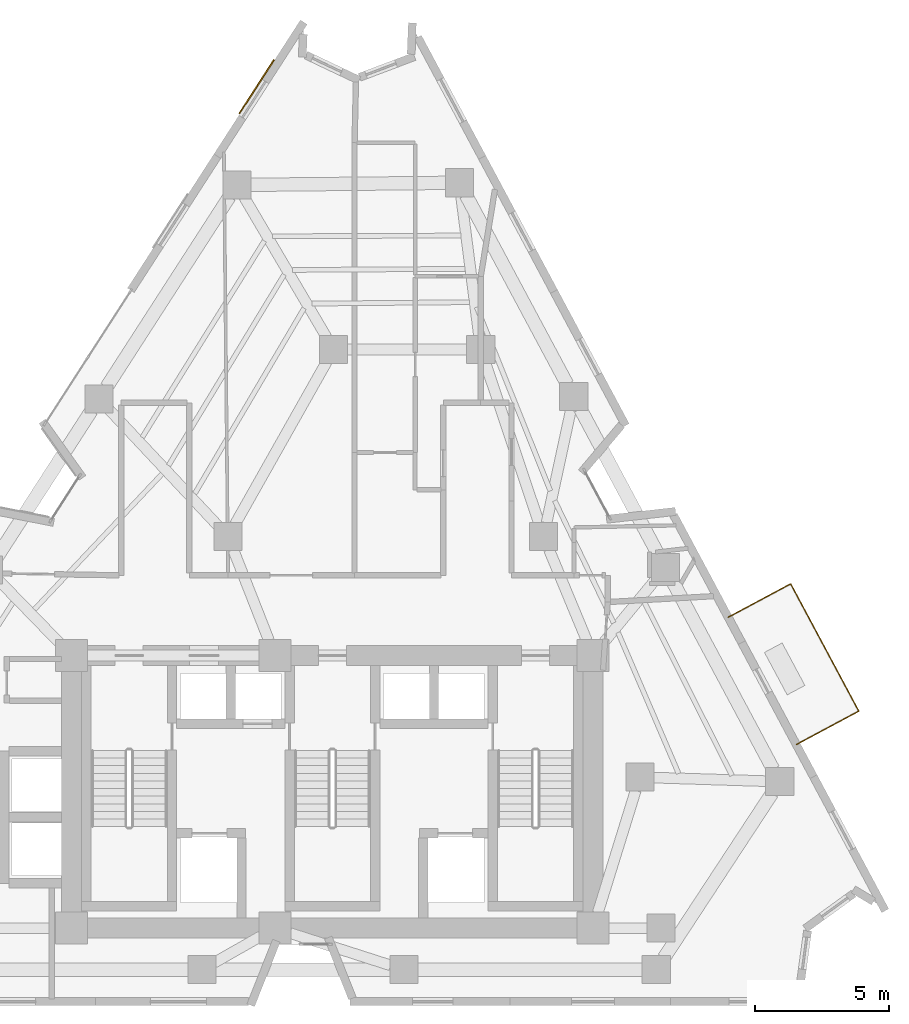
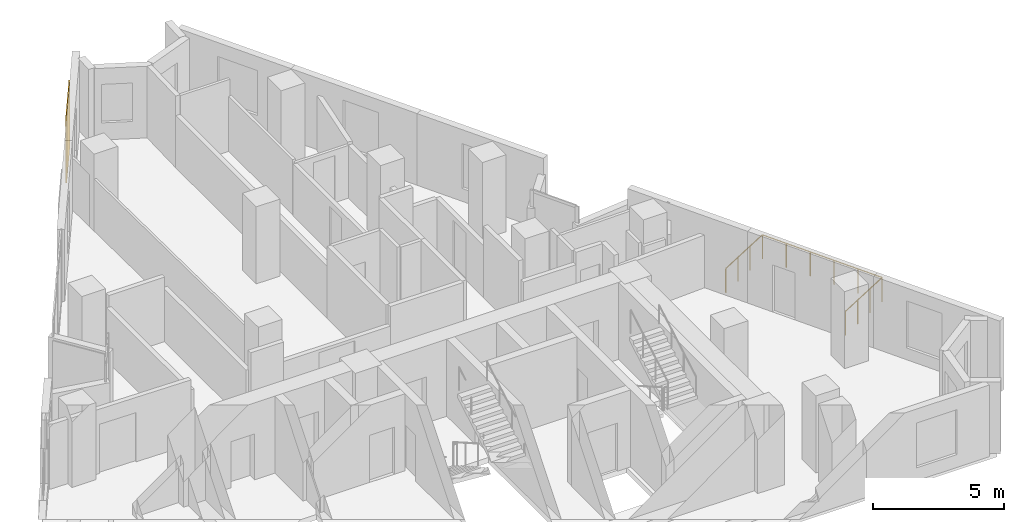
# One storey, part 12 of 12: 1 covering, 1 railing.
"""IFC4 building model written with IfcOpenShell, lengths in metres."""

import ifcopenshell
import ifcopenshell.guid

model = None  # the IFC model being written
_history = None  # IfcOwnerHistory: only IFC2X3 demands one
_inside = {}  # id of a spatial element -> (the spatial element, [elements in it])
_under = {}  # id of a project, library or spatial element -> (it, [spatial elements below it])
_declared = {}  # id of a project -> (the project, [libraries it declares])
_typed = {}  # id of a type object -> (the type object, [elements of that type])
_made_of = {}  # id of a material, layer set ... -> (it, [elements and type objects made of it])


def new_model(schema):
    """Start an empty IFC model of exactly this schema.

    Asked for "IFC4X3", IfcOpenShell would pick the latest addendum, in which some entities
    have other attributes; the version numbers below select the first issue.
    IFC2X3 requires an IfcOwnerHistory on every rooted entity: one is made here for all.
    """
    global model, _history
    if schema == "IFC4X3":
        model = ifcopenshell.file(schema_version=(4, 3, 0, 0))
    else:
        model = ifcopenshell.file(schema=schema)
    _inside.clear()
    _under.clear()
    _declared.clear()
    _typed.clear()
    _made_of.clear()
    _history = None
    if model.schema == "IFC2X3":
        org = make("IfcOrganization", Name="unknown")
        user = make(
            "IfcPersonAndOrganization",
            ThePerson=make("IfcPerson", FamilyName="unknown"),
            TheOrganization=org,
        )
        app = make(
            "IfcApplication",
            ApplicationDeveloper=org,
            Version="unknown",
            ApplicationFullName="unknown",
            ApplicationIdentifier="unknown",
        )
        _history = make(
            "IfcOwnerHistory",
            OwningUser=user,
            OwningApplication=app,
            ChangeAction="ADDED",
            CreationDate=0,
        )
    return model


def make(cls, **values):
    """One entity of the class cls with the attributes given. An attribute that is None is left unset."""
    return model.create_entity(
        cls, **{name: value for name, value in values.items() if value is not None}
    )


def rooted(cls, **values):
    """An entity with a GlobalId (a new one), such as an element, a storey or a relation."""
    return make(cls, GlobalId=ifcopenshell.guid.new(), OwnerHistory=_history, **values)


def si_unit(unit_type, name, prefix=None):
    """IfcSIUnit, for example si_unit("LENGTHUNIT", "METRE", prefix="MILLI")."""
    return make("IfcSIUnit", UnitType=unit_type, Prefix=prefix, Name=name)


def assignment(units):
    """IfcUnitAssignment: the units of a project."""
    return None if units is None else make("IfcUnitAssignment", Units=units)


def point(xyz):
    """IfcCartesianPoint."""
    return None if xyz is None else make("IfcCartesianPoint", Coordinates=xyz)


def direction(xyz):
    """IfcDirection."""
    return None if xyz is None else make("IfcDirection", DirectionRatios=xyz)


def frame(location, z_axis=None, x_axis=None):
    """IfcAxis2Placement3D, a coordinate frame: its origin and axes. An axis left out is left unset."""
    return make(
        "IfcAxis2Placement3D",
        Location=point(location),
        Axis=direction(z_axis),
        RefDirection=direction(x_axis),
    )


def frame_2d(location, x_axis=None):
    """IfcAxis2Placement2D, a coordinate frame in the plane: its origin and x axis."""
    return make(
        "IfcAxis2Placement2D", Location=point(location), RefDirection=direction(x_axis)
    )


def origin():
    """The frame at (0, 0, 0) with its axes left unset."""
    return frame((0.0, 0.0, 0.0))


def origin_2d():
    """The frame at (0, 0) in the plane with its x axis left unset."""
    return frame_2d((0.0, 0.0))


def place(relative_to, where):
    """IfcLocalPlacement: puts the frame where relative to a parent placement (None: the world)."""
    return make(
        "IfcLocalPlacement", PlacementRelTo=relative_to, RelativePlacement=where
    )


def context(
    kind, dimensions, precision=None, world=None, true_north=None, identifier=None
):
    """IfcGeometricRepresentationContext, for example the 3D "Model" context."""
    return make(
        "IfcGeometricRepresentationContext",
        ContextIdentifier=identifier,
        ContextType=kind,
        CoordinateSpaceDimension=dimensions,
        Precision=precision,
        WorldCoordinateSystem=world,
        TrueNorth=true_north,
    )


def subcontext(parent, identifier, kind, view, scale=None):
    """IfcGeometricRepresentationSubContext, for example "Body" below "Model"."""
    return make(
        "IfcGeometricRepresentationSubContext",
        ContextIdentifier=identifier,
        ContextType=kind,
        ParentContext=parent,
        TargetScale=scale,
        TargetView=view,
    )


def project(units=None, contexts=None):
    """IfcProject with its units and contexts."""
    return rooted(
        "IfcProject",
        Name="project",
        RepresentationContexts=contexts,
        UnitsInContext=assignment(units),
    )


def spatial(cls, under=None, at=None, **own):
    """A site, building, storey or space (cls), placed at a placement, below another one or the project."""
    s = rooted(cls, ObjectPlacement=at, **own)
    if under is not None:
        _under.setdefault(under.id(), (under, []))[1].append(s)
    return s


def profile(cls, at=None, kind="AREA", **sizes):
    """A parametric profile (cls). Its sizes go by their IFC names, for example OverallWidth=200.0."""
    return make(cls, ProfileType=kind, Position=at, **sizes)


def rectangle(**sizes):
    """IfcRectangleProfileDef."""
    return profile("IfcRectangleProfileDef", **sizes)


def circle(**sizes):
    """IfcCircleProfileDef."""
    return profile("IfcCircleProfileDef", **sizes)


def extrude(swept, where, along, depth):
    """IfcExtrudedAreaSolid: the profile swept, set in the frame where, extruded along a direction by depth."""
    return make(
        "IfcExtrudedAreaSolid",
        SweptArea=swept,
        Position=where,
        ExtrudedDirection=direction(along),
        Depth=depth,
    )


def shape(context_of_items, identifier, shape_type, items):
    """IfcShapeRepresentation: the items that make up one representation, for example the "Body"."""
    return make(
        "IfcShapeRepresentation",
        ContextOfItems=context_of_items,
        RepresentationIdentifier=identifier,
        RepresentationType=shape_type,
        Items=items,
    )


def material(Name=None, Category=None):
    """IfcMaterial."""
    return make("IfcMaterial", Name=Name, Category=Category)


def layer(
    of_material, thickness, ventilated=None, Name=None, Category=None, Priority=None
):
    """IfcMaterialLayer: one layer of a wall or slab, of a material (None: an air gap)."""
    return make(
        "IfcMaterialLayer",
        Material=of_material,
        LayerThickness=thickness,
        IsVentilated=ventilated,
        Name=Name,
        Category=Category,
        Priority=Priority,
    )


def layer_set(layers, Name=None):
    """IfcMaterialLayerSet."""
    return make("IfcMaterialLayerSet", MaterialLayers=layers, LayerSetName=Name)


def made_of(thing, what):
    """Note that an element or type object is made of a material, layer set ...; save() writes the relation."""
    if what is not None:
        _made_of.setdefault(what.id(), (what, []))[1].append(thing)
    return thing


def type_object(cls, material=None, **own):
    """A type object (cls), such as IfcWallType, which elements share."""
    return made_of(rooted(cls, **own), material)


def element(
    cls,
    number,
    at=None,
    inside=None,
    cuts=None,
    type_object=None,
    material=None,
    context=None,
    identifier="Body",
    shape_type=None,
    held_by="IfcProductDefinitionShape",
    body=None,
    shapes=None,
    **own,
):
    """One element of the class cls, such as IfcWall. Its Tag is "e" and its number.

    at: its placement. inside: the storey or other place that contains it. cuts: it is an
    opening in that element (IfcRelVoidsElement). A single representation is given by context,
    identifier, shape_type and body (its items); several are given by shapes. held_by: the class
    of the entity that holds the representations. save() writes the other relations.
    """
    e = rooted(cls, Tag="e%d" % number, ObjectPlacement=at, **own)
    if body is not None:
        shapes = [shape(context, identifier, shape_type, body)]
    if shapes is not None:
        e.Representation = make(held_by, Representations=shapes)
    if inside is not None:
        _inside.setdefault(inside.id(), (inside, []))[1].append(e)
    if cuts is not None:
        rooted(
            "IfcRelVoidsElement", RelatingBuildingElement=cuts, RelatedOpeningElement=e
        )
    if type_object is not None:
        _typed.setdefault(type_object.id(), (type_object, []))[1].append(e)
    return made_of(e, material)


def aggregate(whole, parts):
    """IfcRelAggregates: a whole, such as a stair, and the parts it consists of."""
    return rooted("IfcRelAggregates", RelatingObject=whole, RelatedObjects=parts)


def save(model, path):
    """Write the relations noted so far, then the file.

    IfcRelAggregates (storeys below a building ...), IfcRelContainedInSpatialStructure (elements
    in a storey), IfcRelDefinesByType, IfcRelAssociatesMaterial and IfcRelDeclares: one each for
    every whole, place, type object, material and project.
    """
    for whole, parts in _under.values():
        aggregate(whole, parts)
    for where, things in _inside.values():
        rooted(
            "IfcRelContainedInSpatialStructure",
            RelatedElements=things,
            RelatingStructure=where,
        )
    for kind, things in _typed.values():
        rooted("IfcRelDefinesByType", RelatedObjects=things, RelatingType=kind)
    for what, things in _made_of.values():
        rooted("IfcRelAssociatesMaterial", RelatedObjects=things, RelatingMaterial=what)
    for by, libraries in _declared.values():
        rooted("IfcRelDeclares", RelatingContext=by, RelatedDefinitions=libraries)
    model.write(path)


model = new_model("IFC4")

# Units and contexts
model_context = context("Model", 3, precision=1e-05, world=origin(), true_north=direction((0.0, 1.0)))
body_context = subcontext(model_context, "Body", "Model", "MODEL_VIEW")
ifc_project = project(units=[si_unit("LENGTHUNIT", "METRE"), si_unit("AREAUNIT", "SQUARE_METRE"), si_unit("VOLUMEUNIT", "CUBIC_METRE"), si_unit("PLANEANGLEUNIT", "RADIAN"), si_unit("MASSUNIT", "GRAM", prefix="KILO")], contexts=[model_context])

# Site, building, storey
site_placement = place(None, origin())
site = spatial("IfcSite", under=ifc_project, at=site_placement, CompositionType="ELEMENT")
building_placement = place(site_placement, origin())
building = spatial("IfcBuilding", under=site, at=building_placement, Name="Almagre Mirador Tower", CompositionType="ELEMENT")
storey_placement = place(building_placement, frame((0.0, 0.0, 182.39990234375)))
storey = spatial("IfcBuildingStorey", under=building, at=storey_placement, Name="L47", CompositionType="ELEMENT", Elevation=182.39990234375)

# Covering
ifc_material_1 = material(Name="Almagre terracotta architectural cladding", Category="masonry")
ifc_layer = layer(ifc_material_1, 0.044921875)
ifc_layer_set = layer_set([ifc_layer], Name="Almagre terracotta architectural cladding")
covering_type = type_object("IfcCoveringType", Name="COV-CLAD-ALMAGRE", PredefinedType="CLADDING", material=ifc_layer_set)
covering_placement = place(storey_placement, frame((34.469970703125, 36.025390625, 0.10009765625), z_axis=(0.0, 0.0, 1.0), x_axis=(0.542030924747, 0.840358540516, 0.0)))
element("IfcCovering", 1, at=covering_placement, inside=storey, type_object=covering_type, Name="L47 almagre terracotta pier cladding", PredefinedType="CLADDING", context=body_context, shape_type="SweptSolid", body=[
    extrude(rectangle(XDim=2.39990234375, YDim=0.044921875, at=origin_2d()), origin(), (0.0, 0.0, 1.0), 3.14990234375),
])

# Railing
ifc_material_2 = material(Name="Black anodized aluminium", Category="aluminium")
railing_type = type_object("IfcRailingType", Name="RLG-BAL-1150", PredefinedType="BALUSTRADE", material=ifc_material_2)
railing_placement = place(storey_placement, frame((54.654052734375, 11.4189453125, 0.0)))
element("IfcRailing", 2, at=railing_placement, inside=storey, type_object=railing_type, Name="L47 east balcony balustrade 1", PredefinedType="BALUSTRADE", context=body_context, shape_type="SweptSolid", body=[
    extrude(circle(Radius=0.02392578125, at=origin_2d()), frame((0.0, 0.0, 1.1259765625), z_axis=(0.88169906434, 0.471812208343, 0.0), x_axis=(-0.471812208343, 0.88169906434, 0.0)), (0.0, 0.0, 1.0), 2.6494140625),
    extrude(circle(Radius=0.02392578125, at=origin_2d()), frame((2.3359375, 1.25, 1.1259765625), z_axis=(-0.471620367983, 0.881801694546, 0.0), x_axis=(-0.881801694546, -0.471620367983, 0.0)), (0.0, 0.0, 1.0), 5.400146484375),
    extrude(circle(Radius=0.02392578125, at=origin_2d()), frame((-0.2109375, 6.011962890625, 1.1259765625), z_axis=(-0.88180156885, -0.471620602999, 0.0), x_axis=(0.471620602999, -0.88180156885, 0.0)), (0.0, 0.0, 1.0), 2.650390625),
    extrude(circle(Radius=0.02099609375, at=origin_2d()), origin(), (0.0, 0.0, 1.0), 1.101806640625),
    extrude(circle(Radius=0.02099609375, at=origin_2d()), frame((0.778564453125, 0.416748046875, 0.0)), (0.0, 0.0, 1.0), 1.101806640625),
    extrude(circle(Radius=0.02099609375, at=origin_2d()), frame((1.557373046875, 0.833251953125, 0.0)), (0.0, 0.0, 1.0), 1.101806640625),
    extrude(circle(Radius=0.02099609375, at=origin_2d()), frame((2.3359375, 1.25, 0.0)), (0.0, 0.0, 1.0), 1.101806640625),
    extrude(circle(Radius=0.02099609375, at=origin_2d()), frame((1.82666015625, 2.202392578125, 0.0)), (0.0, 0.0, 1.0), 1.101806640625),
    extrude(circle(Radius=0.02099609375, at=origin_2d()), frame((1.317138671875, 3.15478515625, 0.0)), (0.0, 0.0, 1.0), 1.101806640625),
    extrude(circle(Radius=0.02099609375, at=origin_2d()), frame((0.807861328125, 4.107177734375, 0.0)), (0.0, 0.0, 1.0), 1.101806640625),
    extrude(circle(Radius=0.02099609375, at=origin_2d()), frame((0.29833984375, 5.0595703125, 0.0)), (0.0, 0.0, 1.0), 1.101806640625),
    extrude(circle(Radius=0.02099609375, at=origin_2d()), frame((-0.2109375, 6.011962890625, 0.0)), (0.0, 0.0, 1.0), 1.101806640625),
    extrude(circle(Radius=0.02099609375, at=origin_2d()), frame((-0.989990234375, 5.59521484375, 0.0)), (0.0, 0.0, 1.0), 1.101806640625),
    extrude(circle(Radius=0.02099609375, at=origin_2d()), frame((-1.76904296875, 5.1787109375, 0.0)), (0.0, 0.0, 1.0), 1.101806640625),
    extrude(circle(Radius=0.02099609375, at=origin_2d()), frame((-2.548095703125, 4.761962890625, 0.0)), (0.0, 0.0, 1.0), 1.101806640625),
])

save(model, "model.ifc")
